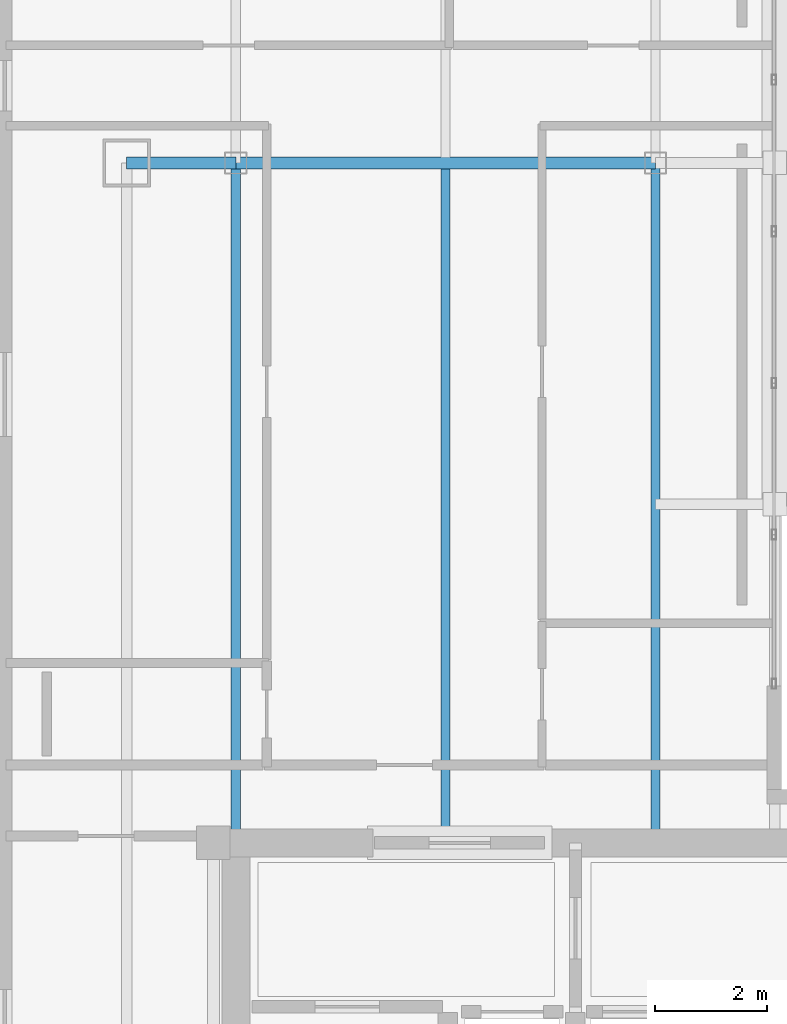
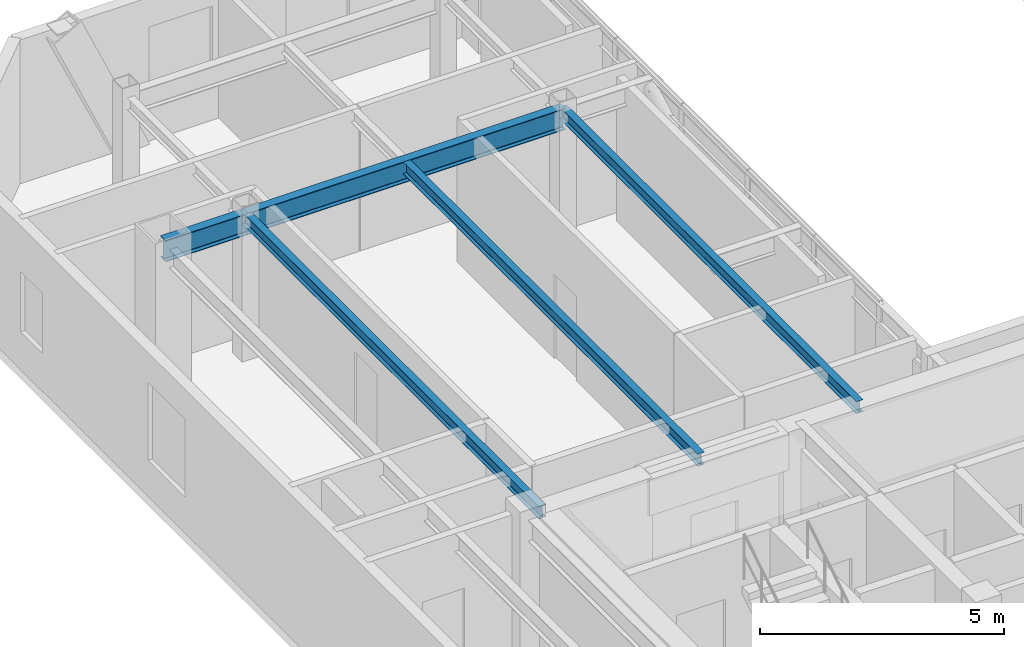
# One storey, part 5 of 19: 5 beams.
"""IFC4 building model written with IfcOpenShell, lengths in metres."""

from ifc_helpers import new_model, si_unit, direction, frame, origin, origin_2d, place, context, subcontext, project, spatial, i_section, extrude, material, material_profile, profile_set, type_object, element, save


model = new_model("IFC4")

# Units and contexts
model_context = context("Model", 3, precision=1e-05, world=origin(), true_north=direction((0.0, 1.0)))
body_context = subcontext(model_context, "Body", "Model", "MODEL_VIEW")
ifc_project = project(units=[si_unit("LENGTHUNIT", "METRE"), si_unit("AREAUNIT", "SQUARE_METRE"), si_unit("VOLUMEUNIT", "CUBIC_METRE"), si_unit("PLANEANGLEUNIT", "RADIAN"), si_unit("MASSUNIT", "GRAM", prefix="KILO")], contexts=[model_context])

# Site, building, storey
site_placement = place(None, origin())
site = spatial("IfcSite", under=ifc_project, at=site_placement, CompositionType="ELEMENT")
building_placement = place(site_placement, origin())
building = spatial("IfcBuilding", under=site, at=building_placement, Name="Ventersveld Concourse Tower", CompositionType="ELEMENT")
storey_placement = place(building_placement, frame((0.0, 0.0, 345.199951171875)))
storey = spatial("IfcBuildingStorey", under=building, at=storey_placement, Name="L85", CompositionType="ELEMENT", Elevation=345.199951171875)

# Beams
ifc_material = material(Name="Structural steel S355J2", Category="steel")
ifc_material_profile_1 = material_profile(ifc_material, i_section(OverallWidth=0.1650390625, OverallDepth=0.303466796875, WebThickness=0.006103515625, FlangeThickness=0.01025390625, FilletRadius=0.0087890625, at=origin_2d()), Name="UB 305x165x40")
ifc_profile_set_1 = profile_set([ifc_material_profile_1], Name="Structural steel S355J2")
beam_type_1 = type_object("IfcBeamType", Name="BM-UB305", PredefinedType="BEAM", material=ifc_profile_set_1)
beam_1_placement = place(storey_placement, frame((13.75, 11.449951171875, 3.438232421875), z_axis=(0.0, 1.0, 0.0), x_axis=(-1.0, 0.0, 0.0)))
element("IfcBeam", 1, at=beam_1_placement, inside=storey, type_object=beam_type_1, Name="L85 N-S Composite Floor Beam South X=13.75", PredefinedType="BEAM", context=body_context, shape_type="SweptSolid", body=[
    extrude(i_section(OverallWidth=0.1650390625, OverallDepth=0.303466796875, WebThickness=0.006103515625, FlangeThickness=0.01025390625, FilletRadius=0.0087890625, at=origin_2d()), origin(), (0.0, 0.0, 1.0), 12.150146484375),
])
beam_2_placement = place(storey_placement, frame((17.5, 11.449951171875, 3.438232421875), z_axis=(0.0, 1.0, 0.0), x_axis=(-1.0, 0.0, 0.0)))
element("IfcBeam", 2, at=beam_2_placement, inside=storey, type_object=beam_type_1, Name="L85 N-S Composite Floor Beam South X=17.50", PredefinedType="BEAM", context=body_context, shape_type="SweptSolid", body=[
    extrude(i_section(OverallWidth=0.1650390625, OverallDepth=0.303466796875, WebThickness=0.006103515625, FlangeThickness=0.01025390625, FilletRadius=0.0087890625, at=origin_2d()), origin(), (0.0, 0.0, 1.0), 12.054931640625),
])
beam_3_placement = place(storey_placement, frame((21.25, 11.449951171875, 3.438232421875), z_axis=(0.0, 1.0, 0.0), x_axis=(-1.0, 0.0, 0.0)))
element("IfcBeam", 3, at=beam_3_placement, inside=storey, type_object=beam_type_1, Name="L85 N-S Composite Floor Beam South X=21.25", PredefinedType="BEAM", context=body_context, shape_type="SweptSolid", body=[
    extrude(i_section(OverallWidth=0.1650390625, OverallDepth=0.303466796875, WebThickness=0.006103515625, FlangeThickness=0.01025390625, FilletRadius=0.0087890625, at=origin_2d()), origin(), (0.0, 0.0, 1.0), 12.150146484375),
])
ifc_material_profile_2 = material_profile(ifc_material, i_section(OverallWidth=0.209228515625, OverallDepth=0.533203125, WebThickness=0.010009765625, FlangeThickness=0.015625, FilletRadius=0.0126953125, at=origin_2d()), Name="UB 533x210x92")
ifc_profile_set_2 = profile_set([ifc_material_profile_2], Name="Structural steel S355J2")
beam_type_2 = type_object("IfcBeamType", Name="GRD-UB533", PredefinedType="T_BEAM", material=ifc_profile_set_2)
beam_4_placement = place(storey_placement, frame((11.800048828125, 23.60009765625, 3.323486328125), z_axis=(1.0, 0.0, 0.0), x_axis=(0.0, 1.0, 0.0)))
element("IfcBeam", 4, at=beam_4_placement, inside=storey, type_object=beam_type_2, Name="L85 Primary E-W Grid Girder Y=23.60 #1", PredefinedType="T_BEAM", context=body_context, shape_type="SweptSolid", body=[
    extrude(i_section(OverallWidth=0.209228515625, OverallDepth=0.533203125, WebThickness=0.010009765625, FlangeThickness=0.015625, FilletRadius=0.0126953125, at=origin_2d()), origin(), (0.0, 0.0, 1.0), 1.949951171875),
])
beam_5_placement = place(storey_placement, frame((13.75, 23.60009765625, 3.323486328125), z_axis=(1.0, 0.0, 0.0), x_axis=(0.0, 1.0, 0.0)))
element("IfcBeam", 5, at=beam_5_placement, inside=storey, type_object=beam_type_2, Name="L85 Primary E-W Grid Girder Y=23.60 #2", PredefinedType="T_BEAM", context=body_context, shape_type="SweptSolid", body=[
    extrude(i_section(OverallWidth=0.209228515625, OverallDepth=0.533203125, WebThickness=0.010009765625, FlangeThickness=0.015625, FilletRadius=0.0126953125, at=origin_2d()), origin(), (0.0, 0.0, 1.0), 7.5),
])

save(model, "model.ifc")
